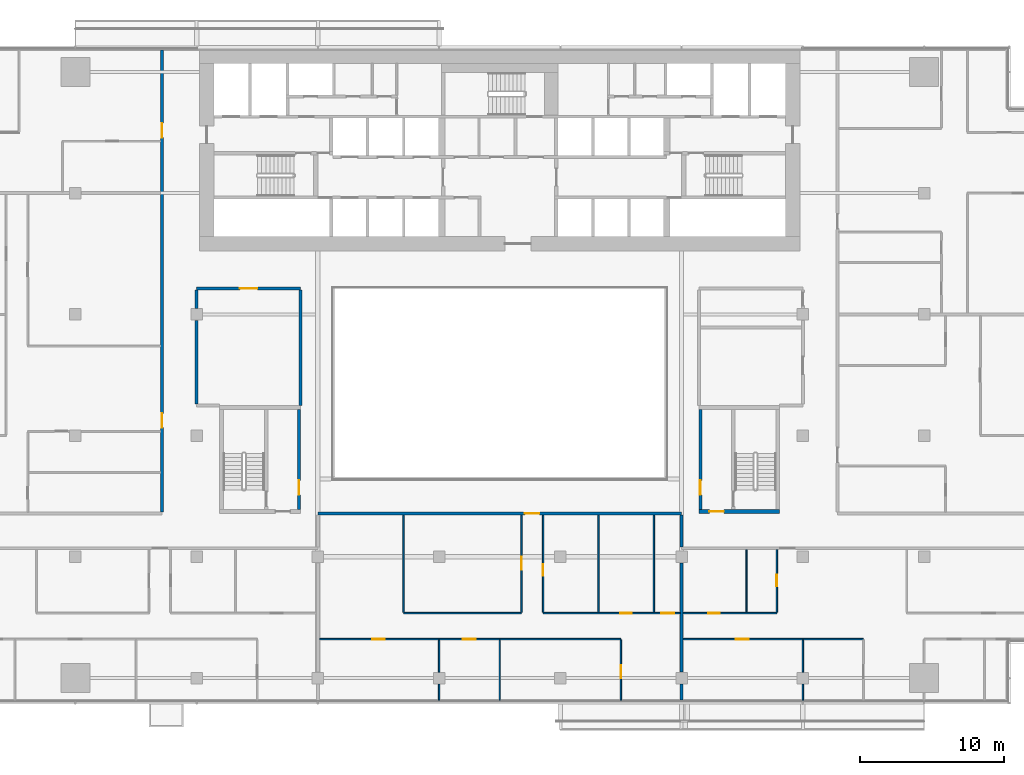
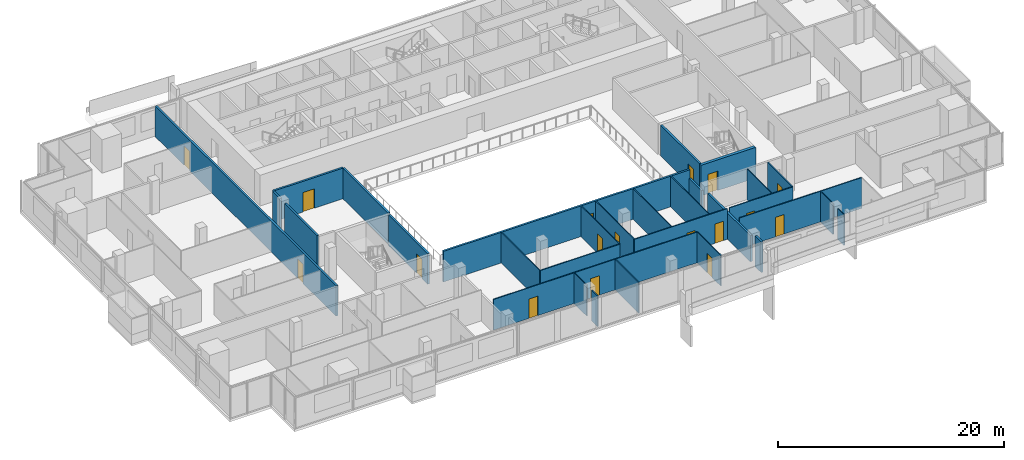
# One storey, part 18 of 27: 30 walls, 17 doors, 17 openings.
"""IFC4 building model written with IfcOpenShell, lengths in metres."""

from ifc_helpers import new_model, si_unit, direction, frame, frame_2d, origin, place, context, subcontext, project, spatial, rectangle, extrude, material, layer, layer_set, type_object, element, fill, save


model = new_model("IFC4")

# Units and contexts
model_context = context("Model", 3, precision=1e-05, world=origin(), true_north=direction((0.0, 1.0)))
body_context = subcontext(model_context, "Body", "Model", "MODEL_VIEW")
ifc_project = project(units=[si_unit("LENGTHUNIT", "METRE"), si_unit("AREAUNIT", "SQUARE_METRE"), si_unit("VOLUMEUNIT", "CUBIC_METRE"), si_unit("PLANEANGLEUNIT", "RADIAN"), si_unit("MASSUNIT", "GRAM", prefix="KILO")], contexts=[model_context])

# Site, building, storey
site_placement = place(None, origin())
site = spatial("IfcSite", under=ifc_project, at=site_placement, CompositionType="ELEMENT")
building_placement = place(site_placement, origin())
building = spatial("IfcBuilding", under=site, at=building_placement, Name="Saffron Gate Tower", CompositionType="ELEMENT")
storey_placement = place(building_placement, frame((0.0, 0.0, 124.050048828125)))
storey = spatial("IfcBuildingStorey", under=building, at=storey_placement, Name="L29", CompositionType="ELEMENT", Elevation=124.050048828125)

# Wall, opening, door
ifc_material_1 = material(Name="Gypsum board partition on steel studs", Category="steel")
ifc_layer_1 = layer(ifc_material_1, 0.199951171875)
ifc_layer_set_1 = layer_set([ifc_layer_1], Name="CW10 Core partition 200")
wall_type_1 = type_object("IfcWallType", Name="CW10 Core partition 200", PredefinedType="PARTITIONING", material=ifc_layer_set_1)
wall_1_placement = place(storey_placement, frame((73.699951171875, 43.5, 0.0), z_axis=(0.0, 0.0, 1.0), x_axis=(0.0, 1.0, 0.0)))
wall_1 = element("IfcWall", 1, at=wall_1_placement, inside=storey, type_object=wall_type_1, Name="Wall CW10-L29-D-4", PredefinedType="PARTITIONING", context=body_context, shape_type="SweptSolid", body=[
    extrude(rectangle(XDim=6.89990234375, YDim=0.199951171875, at=frame_2d((3.449951171875, 0.0))), origin(), (0.0, 0.0, 1.0), 3.320068359375),
])
opening_1_placement = place(wall_1_placement, frame((1.0, 0.0, 0.0)))
opening_1 = element("IfcOpeningElement", 2, at=opening_1_placement, cuts=wall_1, Name="Opening CR-19", PredefinedType="OPENING", context=body_context, shape_type="SweptSolid", body=[
    extrude(rectangle(XDim=1.0, YDim=2.10009765625, at=frame_2d((0.5, 1.050048828125))), frame((0.0, 0.10986328125, 0.0), z_axis=(0.0, -1.0, 0.0), x_axis=(1.0, 0.0, 0.0)), (0.0, 0.0, 1.0), 0.219970703125),
])
ifc_material_2 = material(Name="Steel fire door set", Category="steel")
door_type_1 = type_object("IfcDoorType", Name="CD4 Lobby door 1000x2100 EI 120", OperationType="NOTDEFINED", PredefinedType="DOOR", material=ifc_material_2)
door_1_placement = place(opening_1_placement, origin())
door_1 = element("IfcDoor", 3, at=door_1_placement, inside=storey, type_object=door_type_1, Name="DOOR CR-19", OperationType="SINGLE_SWING_RIGHT", OverallHeight=2.10009765625, OverallWidth=1.0, PredefinedType="DOOR", context=body_context, shape_type="SweptSolid", body=[
    extrude(rectangle(XDim=1.0, YDim=2.10009765625, at=frame_2d((0.5, 1.050048828125))), frame((0.0, 0.02490234375, 0.0), z_axis=(0.0, -1.0, 0.0), x_axis=(1.0, 0.0, 0.0)), (0.0, 0.0, 1.0), 0.050048828125),
])
fill(opening_1, door_1)

wall_2_placement = place(storey_placement, frame((101.5, 43.5, 0.0), z_axis=(0.0, 0.0, 1.0), x_axis=(0.0, 1.0, 0.0)))
wall_2 = element("IfcWall", 4, at=wall_2_placement, inside=storey, type_object=wall_type_1, Name="Wall CW10-L29-E-2", PredefinedType="PARTITIONING", context=body_context, shape_type="SweptSolid", body=[
    extrude(rectangle(XDim=6.89990234375, YDim=0.199951171875, at=frame_2d((3.449951171875, 0.0))), origin(), (0.0, 0.0, 1.0), 3.320068359375),
])
opening_2_placement = place(wall_2_placement, frame((1.0, 0.0, 0.0)))
opening_2 = element("IfcOpeningElement", 5, at=opening_2_placement, cuts=wall_2, Name="Opening CR-22", PredefinedType="OPENING", context=body_context, shape_type="SweptSolid", body=[
    extrude(rectangle(XDim=1.0, YDim=2.10009765625, at=frame_2d((0.5, 1.050048828125))), frame((0.0, 0.10986328125, 0.0), z_axis=(0.0, -1.0, 0.0), x_axis=(1.0, 0.0, 0.0)), (0.0, 0.0, 1.0), 0.219970703125),
])
door_2_placement = place(opening_2_placement, origin())
door_2 = element("IfcDoor", 6, at=door_2_placement, inside=storey, type_object=door_type_1, Name="DOOR CR-22", OperationType="SINGLE_SWING_LEFT", OverallHeight=2.10009765625, OverallWidth=1.0, PredefinedType="DOOR", context=body_context, shape_type="SweptSolid", body=[
    extrude(rectangle(XDim=1.0, YDim=2.10009765625, at=frame_2d((0.5, 1.050048828125))), frame((0.0, 0.02490234375, 0.0), z_axis=(0.0, -1.0, 0.0), x_axis=(1.0, 0.0, 0.0)), (0.0, 0.0, 1.0), 0.050048828125),
])
fill(opening_2, door_2)

ifc_material_3 = material(Name="Concrete C70", Category="concrete")
ifc_layer_2 = layer(ifc_material_3, 0.300048828125)
ifc_layer_set_2 = layer_set([ifc_layer_2], Name="CW5 RC core wall 300 C70")
wall_type_2 = type_object("IfcWallType", Name="CW5 RC core wall 300 C70", PredefinedType="SOLIDWALL", material=ifc_layer_set_2)
wall_3_placement = place(storey_placement, frame((101.39990234375, 43.35009765625, 0.0), z_axis=(0.0, 0.0, 1.0), x_axis=(1.0, 0.0, 0.0)))
wall_3 = element("IfcWall", 7, at=wall_3_placement, inside=storey, type_object=wall_type_2, Name="Wall CW5-L29-E-1", PredefinedType="SOLIDWALL", context=body_context, shape_type="SweptSolid", body=[
    extrude(rectangle(XDim=5.60009765625, YDim=0.300048828125, at=frame_2d((2.800048828125, 0.0))), origin(), (0.0, 0.0, 1.0), 3.320068359375),
])
opening_3_placement = place(wall_3_placement, frame((0.72509765625, 0.0, 0.0)))
opening_3 = element("IfcOpeningElement", 8, at=opening_3_placement, cuts=wall_3, Name="Opening CR-21", PredefinedType="OPENING", context=body_context, shape_type="SweptSolid", body=[
    extrude(rectangle(XDim=1.0, YDim=2.10009765625, at=frame_2d((0.5, 1.050048828125))), frame((0.0, 0.16015625, 0.0), z_axis=(0.0, -1.0, 0.0), x_axis=(1.0, 0.0, 0.0)), (0.0, 0.0, 1.0), 0.320068359375),
])
door_3_placement = place(opening_3_placement, origin())
door_3 = element("IfcDoor", 9, at=door_3_placement, inside=storey, type_object=door_type_1, Name="DOOR CR-21", OperationType="SINGLE_SWING_RIGHT", OverallHeight=2.10009765625, OverallWidth=1.0, PredefinedType="DOOR", context=body_context, shape_type="SweptSolid", body=[
    extrude(rectangle(XDim=1.0, YDim=2.10009765625, at=frame_2d((0.5, 1.050048828125))), frame((0.0, 0.02490234375, 0.0), z_axis=(0.0, -1.0, 0.0), x_axis=(1.0, 0.0, 0.0)), (0.0, 0.0, 1.0), 0.050048828125),
])
fill(opening_3, door_3)

# Wall, openings, doors
ifc_material_4 = material(Name="Plasterboard on steel studs", Category="steel")
ifc_layer_3 = layer(ifc_material_4, 0.10009765625)
ifc_layer_set_3 = layer_set([ifc_layer_3], Name="PW1 Partition 100")
wall_type_3 = type_object("IfcWallType", Name="PW1 Partition 100", PredefinedType="PARTITIONING", material=ifc_layer_set_3)
wall_4_placement = place(storey_placement, frame((96.0, 34.5, 0.0), z_axis=(0.0, 0.0, 1.0), x_axis=(-1.0, 0.0, 0.0)))
wall_4 = element("IfcWall", 10, at=wall_4_placement, inside=storey, type_object=wall_type_3, Name="Partition B3-2", PredefinedType="PARTITIONING", context=body_context, shape_type="SweptSolid", body=[
    extrude(rectangle(XDim=20.89990234375, YDim=0.10009765625, at=frame_2d((10.449951171875, 0.0))), origin(), (0.0, 0.0, 1.0), 3.320068359375),
])
opening_4_placement = place(wall_4_placement, frame((10.050048828125, 0.0, 0.0)))
opening_4 = element("IfcOpeningElement", 11, at=opening_4_placement, cuts=wall_4, Name="Opening B3-13", PredefinedType="OPENING", context=body_context, shape_type="SweptSolid", body=[
    extrude(rectangle(XDim=0.89990234375, YDim=2.10009765625, at=frame_2d((0.449951171875, 1.050048828125))), frame((0.0, 0.06005859375, 0.0), z_axis=(0.0, -1.0, 0.0), x_axis=(1.0, 0.0, 0.0)), (0.0, 0.0, 1.0), 0.1201171875),
])
opening_5_placement = place(wall_4_placement, frame((16.35009765625, 0.0, 0.0)))
opening_5 = element("IfcOpeningElement", 12, at=opening_5_placement, cuts=wall_4, Name="Opening B3-12", PredefinedType="OPENING", context=body_context, shape_type="SweptSolid", body=[
    extrude(rectangle(XDim=0.89990234375, YDim=2.10009765625, at=frame_2d((0.449951171875, 1.050048828125))), frame((0.0, 0.06005859375, 0.0), z_axis=(0.0, -1.0, 0.0), x_axis=(1.0, 0.0, 0.0)), (0.0, 0.0, 1.0), 0.1201171875),
])
ifc_material_5 = material(Name="Timber door set", Category="wood")
door_type_2 = type_object("IfcDoorType", Name="RD1 Room door 900x2100", OperationType="NOTDEFINED", PredefinedType="DOOR", material=ifc_material_5)
door_4_placement = place(opening_4_placement, origin())
door_4 = element("IfcDoor", 13, at=door_4_placement, inside=storey, type_object=door_type_2, Name="Door B3-13", OperationType="SINGLE_SWING_RIGHT", OverallHeight=2.10009765625, OverallWidth=0.89990234375, PredefinedType="DOOR", context=body_context, shape_type="SweptSolid", body=[
    extrude(rectangle(XDim=0.89990234375, YDim=2.10009765625, at=frame_2d((0.449951171875, 1.050048828125))), frame((0.0, 0.02490234375, 0.0), z_axis=(0.0, -1.0, 0.0), x_axis=(1.0, 0.0, 0.0)), (0.0, 0.0, 1.0), 0.050048828125),
])
fill(opening_4, door_4)
door_5_placement = place(opening_5_placement, origin())
door_5 = element("IfcDoor", 14, at=door_5_placement, inside=storey, type_object=door_type_2, Name="Door B3-12", OperationType="SINGLE_SWING_RIGHT", OverallHeight=2.10009765625, OverallWidth=0.89990234375, PredefinedType="DOOR", context=body_context, shape_type="SweptSolid", body=[
    extrude(rectangle(XDim=0.89990234375, YDim=2.10009765625, at=frame_2d((0.449951171875, 1.050048828125))), frame((0.0, 0.02490234375, 0.0), z_axis=(0.0, -1.0, 0.0), x_axis=(1.0, 0.0, 0.0)), (0.0, 0.0, 1.0), 0.050048828125),
])
fill(opening_5, door_5)

# Wall, opening, door
wall_5_placement = place(storey_placement, frame((112.800048828125, 34.5, 0.0), z_axis=(0.0, 0.0, 1.0), x_axis=(-1.0, 0.0, 0.0)))
wall_5 = element("IfcWall", 15, at=wall_5_placement, inside=storey, type_object=wall_type_3, Name="Partition B3-3", PredefinedType="PARTITIONING", context=body_context, shape_type="SweptSolid", body=[
    extrude(rectangle(XDim=12.5, YDim=0.10009765625, at=frame_2d((6.25, 0.0))), origin(), (0.0, 0.0, 1.0), 3.320068359375),
])
opening_6_placement = place(wall_5_placement, frame((7.949951171875, 0.0, 0.0)))
opening_6 = element("IfcOpeningElement", 16, at=opening_6_placement, cuts=wall_5, Name="Opening B3-17", PredefinedType="OPENING", context=body_context, shape_type="SweptSolid", body=[
    extrude(rectangle(XDim=0.89990234375, YDim=2.10009765625, at=frame_2d((0.449951171875, 1.050048828125))), frame((0.0, 0.06005859375, 0.0), z_axis=(0.0, -1.0, 0.0), x_axis=(1.0, 0.0, 0.0)), (0.0, 0.0, 1.0), 0.1201171875),
])
door_6_placement = place(opening_6_placement, origin())
door_6 = element("IfcDoor", 17, at=door_6_placement, inside=storey, type_object=door_type_2, Name="Door B3-17", OperationType="SINGLE_SWING_RIGHT", OverallHeight=2.10009765625, OverallWidth=0.89990234375, PredefinedType="DOOR", context=body_context, shape_type="SweptSolid", body=[
    extrude(rectangle(XDim=0.89990234375, YDim=2.10009765625, at=frame_2d((0.449951171875, 1.050048828125))), frame((0.0, 0.02490234375, 0.0), z_axis=(0.0, -1.0, 0.0), x_axis=(1.0, 0.0, 0.0)), (0.0, 0.0, 1.0), 0.050048828125),
])
fill(opening_6, door_6)

# Walls
wall_6_placement = place(storey_placement, frame((80.94189453125, 36.300048828125, 0.0), z_axis=(0.0, 0.0, 1.0), x_axis=(1.0, 0.0, 0.0)))
element("IfcWall", 18, at=wall_6_placement, inside=storey, type_object=wall_type_3, Name="Partition B3-7", PredefinedType="PARTITIONING", context=body_context, shape_type="SweptSolid", body=[
    extrude(rectangle(XDim=8.158203125, YDim=0.10009765625, at=frame_2d((4.0791015625, 0.0))), origin(), (0.0, 0.0, 1.0), 3.320068359375),
])
wall_7_placement = place(storey_placement, frame((80.94189453125, 43.10009765625, 0.0), z_axis=(0.0, 0.0, 1.0), x_axis=(0.0, -1.0, 0.0)))
element("IfcWall", 19, at=wall_7_placement, inside=storey, type_object=wall_type_3, Name="Partition B3-66", PredefinedType="PARTITIONING", context=body_context, shape_type="SweptSolid", body=[
    extrude(rectangle(XDim=6.75, YDim=0.10009765625, at=frame_2d((3.375, 0.0))), origin(), (0.0, 0.0, 1.0), 3.320068359375),
])
wall_8_placement = place(storey_placement, frame((83.39990234375, 31.3798828125, 0.0), z_axis=(0.0, 0.0, 1.0), x_axis=(0.0, -1.0, 0.0)))
element("IfcWall", 20, at=wall_8_placement, inside=storey, type_object=wall_type_3, Name="Partition B3-67", PredefinedType="PARTITIONING", context=body_context, shape_type="SweptSolid", body=[
    extrude(rectangle(XDim=1.099853515625, YDim=0.10009765625, at=frame_2d((0.5498046875, 0.0))), origin(), (0.0, 0.0, 1.0), 3.320068359375),
])
wall_9_placement = place(storey_placement, frame((83.39990234375, 34.449951171875, 0.0), z_axis=(0.0, 0.0, 1.0), x_axis=(0.0, -1.0, 0.0)))
element("IfcWall", 21, at=wall_9_placement, inside=storey, type_object=wall_type_3, Name="Partition B3-68", PredefinedType="PARTITIONING", context=body_context, shape_type="SweptSolid", body=[
    extrude(rectangle(XDim=2.22998046875, YDim=0.10009765625, at=frame_2d((1.114990234375, 0.0))), origin(), (0.0, 0.0, 1.0), 3.320068359375),
])
wall_10_placement = place(storey_placement, frame((87.60009765625, 34.449951171875, 0.0), z_axis=(0.0, 0.0, 1.0), x_axis=(0.0, -1.0, 0.0)))
element("IfcWall", 22, at=wall_10_placement, inside=storey, type_object=wall_type_3, Name="Partition B3-69", PredefinedType="PARTITIONING", context=body_context, shape_type="SweptSolid", body=[
    extrude(rectangle(XDim=4.169921875, YDim=0.10009765625, at=frame_2d((2.0849609375, 0.0))), origin(), (0.0, 0.0, 1.0), 3.320068359375),
])

# Wall, opening, door
wall_11_placement = place(storey_placement, frame((89.10009765625, 36.35009765625, 0.0), z_axis=(0.0, 0.0, 1.0), x_axis=(0.0, 1.0, 0.0)))
wall_11 = element("IfcWall", 23, at=wall_11_placement, inside=storey, type_object=wall_type_3, Name="Partition B3-70", PredefinedType="PARTITIONING", context=body_context, shape_type="SweptSolid", body=[
    extrude(rectangle(XDim=6.75, YDim=0.10009765625, at=frame_2d((3.375, 0.0))), origin(), (0.0, 0.0, 1.0), 3.320068359375),
])
opening_7_placement = place(wall_11_placement, frame((2.949951171875, 0.0, 0.0)))
opening_7 = element("IfcOpeningElement", 24, at=opening_7_placement, cuts=wall_11, Name="Opening B3-15", PredefinedType="OPENING", context=body_context, shape_type="SweptSolid", body=[
    extrude(rectangle(XDim=0.89990234375, YDim=2.10009765625, at=frame_2d((0.449951171875, 1.050048828125))), frame((0.0, 0.06005859375, 0.0), z_axis=(0.0, -1.0, 0.0), x_axis=(1.0, 0.0, 0.0)), (0.0, 0.0, 1.0), 0.1201171875),
])
door_7_placement = place(opening_7_placement, origin())
door_7 = element("IfcDoor", 25, at=door_7_placement, inside=storey, type_object=door_type_2, Name="Door B3-15", OperationType="SINGLE_SWING_RIGHT", OverallHeight=2.10009765625, OverallWidth=0.89990234375, PredefinedType="DOOR", context=body_context, shape_type="SweptSolid", body=[
    extrude(rectangle(XDim=0.89990234375, YDim=2.10009765625, at=frame_2d((0.449951171875, 1.050048828125))), frame((0.0, 0.02490234375, 0.0), z_axis=(0.0, -1.0, 0.0), x_axis=(1.0, 0.0, 0.0)), (0.0, 0.0, 1.0), 0.050048828125),
])
fill(opening_7, door_7)

wall_12_placement = place(storey_placement, frame((90.60009765625, 43.10009765625, 0.0), z_axis=(0.0, 0.0, 1.0), x_axis=(0.0, -1.0, 0.0)))
wall_12 = element("IfcWall", 26, at=wall_12_placement, inside=storey, type_object=wall_type_3, Name="Partition B3-71", PredefinedType="PARTITIONING", context=body_context, shape_type="SweptSolid", body=[
    extrude(rectangle(XDim=6.75, YDim=0.10009765625, at=frame_2d((3.375, 0.0))), origin(), (0.0, 0.0, 1.0), 3.320068359375),
])
opening_8_placement = place(wall_12_placement, frame((3.39990234375, 0.0, 0.0)))
opening_8 = element("IfcOpeningElement", 27, at=opening_8_placement, cuts=wall_12, Name="Opening B3-34", PredefinedType="OPENING", context=body_context, shape_type="SweptSolid", body=[
    extrude(rectangle(XDim=0.800048828125, YDim=2.10009765625, at=frame_2d((0.39990234375, 1.050048828125))), frame((0.0, 0.06005859375, 0.0), z_axis=(0.0, -1.0, 0.0), x_axis=(1.0, 0.0, 0.0)), (0.0, 0.0, 1.0), 0.1201171875),
])
door_type_3 = type_object("IfcDoorType", Name="RD2 Bathroom door 800x2100", OperationType="NOTDEFINED", PredefinedType="DOOR", material=ifc_material_5)
door_8_placement = place(opening_8_placement, origin())
door_8 = element("IfcDoor", 28, at=door_8_placement, inside=storey, type_object=door_type_3, Name="Door B3-34", OperationType="SINGLE_SWING_RIGHT", OverallHeight=2.10009765625, OverallWidth=0.800048828125, PredefinedType="DOOR", context=body_context, shape_type="SweptSolid", body=[
    extrude(rectangle(XDim=0.800048828125, YDim=2.10009765625, at=frame_2d((0.39990234375, 1.050048828125))), frame((0.0, 0.02490234375, 0.0), z_axis=(0.0, -1.0, 0.0), x_axis=(1.0, 0.0, 0.0)), (0.0, 0.0, 1.0), 0.050048828125),
])
fill(opening_8, door_8)

# Wall
wall_13_placement = place(storey_placement, frame((94.440673828125, 43.10009765625, 0.0), z_axis=(0.0, 0.0, 1.0), x_axis=(0.0, -1.0, 0.0)))
element("IfcWall", 29, at=wall_13_placement, inside=storey, type_object=wall_type_3, Name="Partition B3-72", PredefinedType="PARTITIONING", context=body_context, shape_type="SweptSolid", body=[
    extrude(rectangle(XDim=6.75, YDim=0.10009765625, at=frame_2d((3.375, 0.0))), origin(), (0.0, 0.0, 1.0), 3.320068359375),
])

# Wall, opening, door
wall_14_placement = place(storey_placement, frame((96.0, 30.280029296875, 0.0), z_axis=(0.0, 0.0, 1.0), x_axis=(0.0, 1.0, 0.0)))
wall_14 = element("IfcWall", 30, at=wall_14_placement, inside=storey, type_object=wall_type_3, Name="Partition B3-73", PredefinedType="PARTITIONING", context=body_context, shape_type="SweptSolid", body=[
    extrude(rectangle(XDim=4.169921875, YDim=0.10009765625, at=frame_2d((2.0849609375, 0.0))), origin(), (0.0, 0.0, 1.0), 3.320068359375),
])
opening_9_placement = place(wall_14_placement, frame((1.52001953125, 0.0, 0.0)))
opening_9 = element("IfcOpeningElement", 31, at=opening_9_placement, cuts=wall_14, Name="Opening B3-14", PredefinedType="OPENING", context=body_context, shape_type="SweptSolid", body=[
    extrude(rectangle(XDim=0.89990234375, YDim=2.10009765625, at=frame_2d((0.449951171875, 1.050048828125))), frame((0.0, 0.06005859375, 0.0), z_axis=(0.0, -1.0, 0.0), x_axis=(1.0, 0.0, 0.0)), (0.0, 0.0, 1.0), 0.1201171875),
])
door_9_placement = place(opening_9_placement, origin())
door_9 = element("IfcDoor", 32, at=door_9_placement, inside=storey, type_object=door_type_2, Name="Door B3-14", OperationType="SINGLE_SWING_LEFT", OverallHeight=2.10009765625, OverallWidth=0.89990234375, PredefinedType="DOOR", context=body_context, shape_type="SweptSolid", body=[
    extrude(rectangle(XDim=0.89990234375, YDim=2.10009765625, at=frame_2d((0.449951171875, 1.050048828125))), frame((0.0, 0.02490234375, 0.0), z_axis=(0.0, -1.0, 0.0), x_axis=(1.0, 0.0, 0.0)), (0.0, 0.0, 1.0), 0.050048828125),
])
fill(opening_9, door_9)

# Walls
wall_15_placement = place(storey_placement, frame((98.28125, 43.10009765625, 0.0), z_axis=(0.0, 0.0, 1.0), x_axis=(0.0, -1.0, 0.0)))
element("IfcWall", 33, at=wall_15_placement, inside=storey, type_object=wall_type_3, Name="Partition B3-74", PredefinedType="PARTITIONING", context=body_context, shape_type="SweptSolid", body=[
    extrude(rectangle(XDim=6.75, YDim=0.10009765625, at=frame_2d((3.375, 0.0))), origin(), (0.0, 0.0, 1.0), 3.320068359375),
])
wall_16_placement = place(storey_placement, frame((104.699951171875, 40.699951171875, 0.0), z_axis=(0.0, 0.0, 1.0), x_axis=(0.0, -1.0, 0.0)))
element("IfcWall", 34, at=wall_16_placement, inside=storey, type_object=wall_type_3, Name="Partition B3-79", PredefinedType="PARTITIONING", context=body_context, shape_type="SweptSolid", body=[
    extrude(rectangle(XDim=4.349853515625, YDim=0.10009765625, at=frame_2d((2.1748046875, 0.0))), origin(), (0.0, 0.0, 1.0), 3.320068359375),
])

# Wall, opening, door
wall_17_placement = place(storey_placement, frame((106.800048828125, 36.35009765625, 0.0), z_axis=(0.0, 0.0, 1.0), x_axis=(0.0, 1.0, 0.0)))
wall_17 = element("IfcWall", 35, at=wall_17_placement, inside=storey, type_object=wall_type_3, Name="Partition B3-80", PredefinedType="PARTITIONING", context=body_context, shape_type="SweptSolid", body=[
    extrude(rectangle(XDim=4.349853515625, YDim=0.10009765625, at=frame_2d((2.1748046875, 0.0))), origin(), (0.0, 0.0, 1.0), 3.320068359375),
])
opening_10_placement = place(wall_17_placement, frame((1.800048828125, 0.0, 0.0)))
opening_10 = element("IfcOpeningElement", 36, at=opening_10_placement, cuts=wall_17, Name="Opening B3-37", PredefinedType="OPENING", context=body_context, shape_type="SweptSolid", body=[
    extrude(rectangle(XDim=0.800048828125, YDim=2.10009765625, at=frame_2d((0.39990234375, 1.050048828125))), frame((0.0, 0.06005859375, 0.0), z_axis=(0.0, -1.0, 0.0), x_axis=(1.0, 0.0, 0.0)), (0.0, 0.0, 1.0), 0.1201171875),
])
door_10_placement = place(opening_10_placement, origin())
door_10 = element("IfcDoor", 37, at=door_10_placement, inside=storey, type_object=door_type_3, Name="Door B3-37", OperationType="SINGLE_SWING_RIGHT", OverallHeight=2.10009765625, OverallWidth=0.800048828125, PredefinedType="DOOR", context=body_context, shape_type="SweptSolid", body=[
    extrude(rectangle(XDim=0.800048828125, YDim=2.10009765625, at=frame_2d((0.39990234375, 1.050048828125))), frame((0.0, 0.02490234375, 0.0), z_axis=(0.0, -1.0, 0.0), x_axis=(1.0, 0.0, 0.0)), (0.0, 0.0, 1.0), 0.050048828125),
])
fill(opening_10, door_10)

# Walls
wall_18_placement = place(storey_placement, frame((108.60009765625, 31.3798828125, 0.0), z_axis=(0.0, 0.0, 1.0), x_axis=(0.0, -1.0, 0.0)))
element("IfcWall", 38, at=wall_18_placement, inside=storey, type_object=wall_type_3, Name="Partition B3-83", PredefinedType="PARTITIONING", context=body_context, shape_type="SweptSolid", body=[
    extrude(rectangle(XDim=1.099853515625, YDim=0.10009765625, at=frame_2d((0.5498046875, 0.0))), origin(), (0.0, 0.0, 1.0), 3.320068359375),
])
wall_19_placement = place(storey_placement, frame((108.60009765625, 34.449951171875, 0.0), z_axis=(0.0, 0.0, 1.0), x_axis=(0.0, -1.0, 0.0)))
element("IfcWall", 39, at=wall_19_placement, inside=storey, type_object=wall_type_3, Name="Partition B3-84", PredefinedType="PARTITIONING", context=body_context, shape_type="SweptSolid", body=[
    extrude(rectangle(XDim=2.22998046875, YDim=0.10009765625, at=frame_2d((1.114990234375, 0.0))), origin(), (0.0, 0.0, 1.0), 3.320068359375),
])

# Wall, openings, doors
wall_20_placement = place(storey_placement, frame((90.60009765625, 36.300048828125, 0.0), z_axis=(0.0, 0.0, 1.0), x_axis=(1.0, 0.0, 0.0)))
wall_20 = element("IfcWall", 40, at=wall_20_placement, inside=storey, type_object=wall_type_3, Name="Partition B3-98", PredefinedType="PARTITIONING", context=body_context, shape_type="SweptSolid", body=[
    extrude(rectangle(XDim=9.5, YDim=0.10009765625, at=frame_2d((4.75, 0.0))), origin(), (0.0, 0.0, 1.0), 3.320068359375),
])
opening_11_placement = place(wall_20_placement, frame((5.36083984375, 0.0, 0.0)))
opening_11 = element("IfcOpeningElement", 41, at=opening_11_placement, cuts=wall_20, Name="Opening B3-35", PredefinedType="OPENING", context=body_context, shape_type="SweptSolid", body=[
    extrude(rectangle(XDim=0.800048828125, YDim=2.10009765625, at=frame_2d((0.39990234375, 1.050048828125))), frame((0.0, 0.06005859375, 0.0), z_axis=(0.0, -1.0, 0.0), x_axis=(1.0, 0.0, 0.0)), (0.0, 0.0, 1.0), 0.1201171875),
])
opening_12_placement = place(wall_20_placement, frame((8.190673828125, 0.0, 0.0)))
opening_12 = element("IfcOpeningElement", 42, at=opening_12_placement, cuts=wall_20, Name="Opening B3-16", PredefinedType="OPENING", context=body_context, shape_type="SweptSolid", body=[
    extrude(rectangle(XDim=0.89990234375, YDim=2.10009765625, at=frame_2d((0.449951171875, 1.050048828125))), frame((0.0, 0.06005859375, 0.0), z_axis=(0.0, -1.0, 0.0), x_axis=(1.0, 0.0, 0.0)), (0.0, 0.0, 1.0), 0.1201171875),
])
door_11_placement = place(opening_12_placement, origin())
door_11 = element("IfcDoor", 43, at=door_11_placement, inside=storey, type_object=door_type_2, Name="Door B3-16", OperationType="SINGLE_SWING_RIGHT", OverallHeight=2.10009765625, OverallWidth=0.89990234375, PredefinedType="DOOR", context=body_context, shape_type="SweptSolid", body=[
    extrude(rectangle(XDim=0.89990234375, YDim=2.10009765625, at=frame_2d((0.449951171875, 1.050048828125))), frame((0.0, 0.02490234375, 0.0), z_axis=(0.0, -1.0, 0.0), x_axis=(1.0, 0.0, 0.0)), (0.0, 0.0, 1.0), 0.050048828125),
])
fill(opening_12, door_11)
door_12_placement = place(opening_11_placement, origin())
door_12 = element("IfcDoor", 44, at=door_12_placement, inside=storey, type_object=door_type_3, Name="Door B3-35", OperationType="SINGLE_SWING_LEFT", OverallHeight=2.10009765625, OverallWidth=0.800048828125, PredefinedType="DOOR", context=body_context, shape_type="SweptSolid", body=[
    extrude(rectangle(XDim=0.800048828125, YDim=2.10009765625, at=frame_2d((0.39990234375, 1.050048828125))), frame((0.0, 0.02490234375, 0.0), z_axis=(0.0, -1.0, 0.0), x_axis=(1.0, 0.0, 0.0)), (0.0, 0.0, 1.0), 0.050048828125),
])
fill(opening_11, door_12)

# Wall, opening, door
wall_21_placement = place(storey_placement, frame((100.300048828125, 36.300048828125, 0.0), z_axis=(0.0, 0.0, 1.0), x_axis=(1.0, 0.0, 0.0)))
wall_21 = element("IfcWall", 45, at=wall_21_placement, inside=storey, type_object=wall_type_3, Name="Partition B3-99", PredefinedType="PARTITIONING", context=body_context, shape_type="SweptSolid", body=[
    extrude(rectangle(XDim=6.5, YDim=0.10009765625, at=frame_2d((3.25, 0.0))), origin(), (0.0, 0.0, 1.0), 3.320068359375),
])
opening_13_placement = place(wall_21_placement, frame((1.75, 0.0, 0.0)))
opening_13 = element("IfcOpeningElement", 46, at=opening_13_placement, cuts=wall_21, Name="Opening B3-36", PredefinedType="OPENING", context=body_context, shape_type="SweptSolid", body=[
    extrude(rectangle(XDim=0.800048828125, YDim=2.10009765625, at=frame_2d((0.39990234375, 1.050048828125))), frame((0.0, 0.06005859375, 0.0), z_axis=(0.0, -1.0, 0.0), x_axis=(1.0, 0.0, 0.0)), (0.0, 0.0, 1.0), 0.1201171875),
])
door_13_placement = place(opening_13_placement, origin())
door_13 = element("IfcDoor", 47, at=door_13_placement, inside=storey, type_object=door_type_3, Name="Door B3-36", OperationType="SINGLE_SWING_LEFT", OverallHeight=2.10009765625, OverallWidth=0.800048828125, PredefinedType="DOOR", context=body_context, shape_type="SweptSolid", body=[
    extrude(rectangle(XDim=0.800048828125, YDim=2.10009765625, at=frame_2d((0.39990234375, 1.050048828125))), frame((0.0, 0.02490234375, 0.0), z_axis=(0.0, -1.0, 0.0), x_axis=(1.0, 0.0, 0.0)), (0.0, 0.0, 1.0), 0.050048828125),
])
fill(opening_13, door_13)

# Walls
ifc_material_6 = material(Name="Clay brick masonry, rendered", Category="masonry")
ifc_layer_4 = layer(ifc_material_6, 0.199951171875)
ifc_layer_set_4 = layer_set([ifc_layer_4], Name="PW2 Demising wall 200")
wall_type_4 = type_object("IfcWallType", Name="PW2 Demising wall 200", PredefinedType="PARTITIONING", material=ifc_layer_set_4)
wall_22_placement = place(storey_placement, frame((100.199951171875, 31.3798828125, 0.0), z_axis=(0.0, 0.0, 1.0), x_axis=(0.0, -1.0, 0.0)))
element("IfcWall", 48, at=wall_22_placement, inside=storey, type_object=wall_type_4, Name="Wall B3-76", PredefinedType="PARTITIONING", context=body_context, shape_type="SweptSolid", body=[
    extrude(rectangle(XDim=1.099853515625, YDim=0.199951171875, at=frame_2d((0.5498046875, 0.0))), origin(), (0.0, 0.0, 1.0), 3.320068359375),
])
wall_23_placement = place(storey_placement, frame((100.199951171875, 39.780029296875, 0.0), z_axis=(0.0, 0.0, 1.0), x_axis=(0.0, -1.0, 0.0)))
element("IfcWall", 49, at=wall_23_placement, inside=storey, type_object=wall_type_4, Name="Wall B3-77", PredefinedType="PARTITIONING", context=body_context, shape_type="SweptSolid", body=[
    extrude(rectangle(XDim=7.56005859375, YDim=0.199951171875, at=frame_2d((3.780029296875, 0.0))), origin(), (0.0, 0.0, 1.0), 2.829833984375),
])

# Wall, opening, door
ifc_layer_5 = layer(ifc_material_6, 0.199951171875)
ifc_layer_set_5 = layer_set([ifc_layer_5], Name="PW3 Corridor wall 200")
wall_type_5 = type_object("IfcWallType", Name="PW3 Corridor wall 200", PredefinedType="PARTITIONING", material=ifc_layer_set_5)
wall_24_placement = place(storey_placement, frame((100.199951171875, 43.199951171875, 0.0), z_axis=(0.0, 0.0, 1.0), x_axis=(-1.0, 0.0, 0.0)))
wall_24 = element("IfcWall", 50, at=wall_24_placement, inside=storey, type_object=wall_type_5, Name="Wall B3-14", PredefinedType="PARTITIONING", context=body_context, shape_type="SweptSolid", body=[
    extrude(rectangle(XDim=25.199951171875, YDim=0.199951171875, at=frame_2d((12.60009765625, 0.0))), origin(), (0.0, 0.0, 1.0), 3.320068359375),
])
opening_14_placement = place(wall_24_placement, frame((9.85009765625, 0.0, 0.0)))
opening_14 = element("IfcOpeningElement", 51, at=opening_14_placement, cuts=wall_24, Name="Opening B3-2", PredefinedType="OPENING", context=body_context, shape_type="SweptSolid", body=[
    extrude(rectangle(XDim=1.0, YDim=2.10009765625, at=frame_2d((0.5, 1.050048828125))), frame((0.0, 0.10986328125, 0.0), z_axis=(0.0, -1.0, 0.0), x_axis=(1.0, 0.0, 0.0)), (0.0, 0.0, 1.0), 0.219970703125),
])
ifc_material_7 = material(Name="Timber fire door set", Category="wood")
door_type_4 = type_object("IfcDoorType", Name="FD1 Flat entry door 1000x2100", OperationType="NOTDEFINED", PredefinedType="DOOR", material=ifc_material_7)
door_14_placement = place(opening_14_placement, origin())
door_14 = element("IfcDoor", 52, at=door_14_placement, inside=storey, type_object=door_type_4, Name="Door B3-2", OperationType="SINGLE_SWING_RIGHT", OverallHeight=2.10009765625, OverallWidth=1.0, PredefinedType="DOOR", context=body_context, shape_type="SweptSolid", body=[
    extrude(rectangle(XDim=1.0, YDim=2.10009765625, at=frame_2d((0.5, 1.050048828125))), frame((0.0, 0.02490234375, 0.0), z_axis=(0.0, -1.0, 0.0), x_axis=(1.0, 0.0, 0.0)), (0.0, 0.0, 1.0), 0.050048828125),
])
fill(opening_14, door_14)

wall_25_placement = place(storey_placement, frame((73.800048828125, 58.800048828125, 0.0), z_axis=(0.0, 0.0, 1.0), x_axis=(-1.0, 0.0, 0.0)))
wall_25 = element("IfcWall", 53, at=wall_25_placement, inside=storey, type_object=wall_type_5, Name="Wall B3-34", PredefinedType="PARTITIONING", context=body_context, shape_type="SweptSolid", body=[
    extrude(rectangle(XDim=7.199951171875, YDim=0.199951171875, at=frame_2d((3.60009765625, 0.0))), origin(), (0.0, 0.0, 1.0), 3.320068359375),
])
opening_15_placement = place(wall_25_placement, frame((3.0, 0.0, 0.0)))
opening_15 = element("IfcOpeningElement", 54, at=opening_15_placement, cuts=wall_25, Name="Opening B3-45", PredefinedType="OPENING", context=body_context, shape_type="SweptSolid", body=[
    extrude(rectangle(XDim=1.199951171875, YDim=2.10009765625, at=frame_2d((0.60009765625, 1.050048828125))), frame((0.0, 0.10986328125, 0.0), z_axis=(0.0, -1.0, 0.0), x_axis=(1.0, 0.0, 0.0)), (0.0, 0.0, 1.0), 0.219970703125),
])
door_type_5 = type_object("IfcDoorType", Name="HD1 Hall door 1200x2100", OperationType="NOTDEFINED", PredefinedType="DOOR", material=ifc_material_5)
door_15_placement = place(opening_15_placement, origin())
door_15 = element("IfcDoor", 55, at=door_15_placement, inside=storey, type_object=door_type_5, Name="Door B3-45", OperationType="SINGLE_SWING_LEFT", OverallHeight=2.10009765625, OverallWidth=1.199951171875, PredefinedType="DOOR", context=body_context, shape_type="SweptSolid", body=[
    extrude(rectangle(XDim=1.199951171875, YDim=2.10009765625, at=frame_2d((0.60009765625, 1.050048828125))), frame((0.0, 0.02490234375, 0.0), z_axis=(0.0, -1.0, 0.0), x_axis=(1.0, 0.0, 0.0)), (0.0, 0.0, 1.0), 0.050048828125),
])
fill(opening_15, door_15)

# Wall, openings, doors
wall_26_placement = place(storey_placement, frame((64.199951171875, 43.300048828125, 0.0), z_axis=(0.0, 0.0, 1.0), x_axis=(0.0, 1.0, 0.0)))
wall_26 = element("IfcWall", 56, at=wall_26_placement, inside=storey, type_object=wall_type_5, Name="Wall B3-56", PredefinedType="PARTITIONING", context=body_context, shape_type="SweptSolid", body=[
    extrude(rectangle(XDim=32.02001953125, YDim=0.199951171875, at=frame_2d((16.010009765625, 0.0))), origin(), (0.0, 0.0, 1.0), 3.320068359375),
])
opening_16_placement = place(wall_26_placement, frame((5.85009765625, 0.0, 0.0)))
opening_16 = element("IfcOpeningElement", 57, at=opening_16_placement, cuts=wall_26, Name="Opening B3-4", PredefinedType="OPENING", context=body_context, shape_type="SweptSolid", body=[
    extrude(rectangle(XDim=1.0, YDim=2.10009765625, at=frame_2d((0.5, 1.050048828125))), frame((0.0, 0.10986328125, 0.0), z_axis=(0.0, -1.0, 0.0), x_axis=(1.0, 0.0, 0.0)), (0.0, 0.0, 1.0), 0.219970703125),
])
opening_17_placement = place(wall_26_placement, frame((25.949951171875, 0.0, 0.0)))
opening_17 = element("IfcOpeningElement", 58, at=opening_17_placement, cuts=wall_26, Name="Opening B3-5", PredefinedType="OPENING", context=body_context, shape_type="SweptSolid", body=[
    extrude(rectangle(XDim=1.0, YDim=2.10009765625, at=frame_2d((0.5, 1.050048828125))), frame((0.0, 0.10986328125, 0.0), z_axis=(0.0, -1.0, 0.0), x_axis=(1.0, 0.0, 0.0)), (0.0, 0.0, 1.0), 0.219970703125),
])
door_16_placement = place(opening_16_placement, origin())
door_16 = element("IfcDoor", 59, at=door_16_placement, inside=storey, type_object=door_type_4, Name="Door B3-4", OperationType="SINGLE_SWING_RIGHT", OverallHeight=2.10009765625, OverallWidth=1.0, PredefinedType="DOOR", context=body_context, shape_type="SweptSolid", body=[
    extrude(rectangle(XDim=1.0, YDim=2.10009765625, at=frame_2d((0.5, 1.050048828125))), frame((0.0, 0.02490234375, 0.0), z_axis=(0.0, -1.0, 0.0), x_axis=(1.0, 0.0, 0.0)), (0.0, 0.0, 1.0), 0.050048828125),
])
fill(opening_16, door_16)
door_17_placement = place(opening_17_placement, origin())
door_17 = element("IfcDoor", 60, at=door_17_placement, inside=storey, type_object=door_type_4, Name="Door B3-5", OperationType="SINGLE_SWING_LEFT", OverallHeight=2.10009765625, OverallWidth=1.0, PredefinedType="DOOR", context=body_context, shape_type="SweptSolid", body=[
    extrude(rectangle(XDim=1.0, YDim=2.10009765625, at=frame_2d((0.5, 1.050048828125))), frame((0.0, 0.02490234375, 0.0), z_axis=(0.0, -1.0, 0.0), x_axis=(1.0, 0.0, 0.0)), (0.0, 0.0, 1.0), 0.050048828125),
])
fill(opening_17, door_17)

# Walls
wall_27_placement = place(storey_placement, frame((66.60009765625, 56.580078125, 0.0), z_axis=(0.0, 0.0, 1.0), x_axis=(0.0, -1.0, 0.0)))
element("IfcWall", 61, at=wall_27_placement, inside=storey, type_object=wall_type_5, Name="Wall B3-58", PredefinedType="PARTITIONING", context=body_context, shape_type="SweptSolid", body=[
    extrude(rectangle(XDim=5.780029296875, YDim=0.199951171875, at=frame_2d((2.89013671875, 0.0))), origin(), (0.0, 0.0, 1.0), 3.320068359375),
])
wall_28_placement = place(storey_placement, frame((66.60009765625, 58.699951171875, 0.0), z_axis=(0.0, 0.0, 1.0), x_axis=(0.0, -1.0, 0.0)))
element("IfcWall", 62, at=wall_28_placement, inside=storey, type_object=wall_type_5, Name="Wall B3-59", PredefinedType="PARTITIONING", context=body_context, shape_type="SweptSolid", body=[
    extrude(rectangle(XDim=1.280029296875, YDim=0.199951171875, at=frame_2d((0.64013671875, 0.0))), origin(), (0.0, 0.0, 1.0), 3.320068359375),
])
wall_29_placement = place(storey_placement, frame((73.800048828125, 58.699951171875, 0.0), z_axis=(0.0, 0.0, 1.0), x_axis=(0.0, -1.0, 0.0)))
element("IfcWall", 63, at=wall_29_placement, inside=storey, type_object=wall_type_5, Name="Wall B3-62", PredefinedType="PARTITIONING", context=body_context, shape_type="SweptSolid", body=[
    extrude(rectangle(XDim=8.0, YDim=0.199951171875, at=frame_2d((4.0, 0.0))), origin(), (0.0, 0.0, 1.0), 3.320068359375),
])
wall_30_placement = place(storey_placement, frame((100.199951171875, 43.10009765625, 0.0), z_axis=(0.0, 0.0, 1.0), x_axis=(0.0, -1.0, 0.0)))
element("IfcWall", 64, at=wall_30_placement, inside=storey, type_object=wall_type_5, Name="Wall B3-75", PredefinedType="PARTITIONING", context=body_context, shape_type="SweptSolid", body=[
    extrude(rectangle(XDim=2.2001953125, YDim=0.199951171875, at=frame_2d((1.10009765625, 0.0))), origin(), (0.0, 0.0, 1.0), 2.429931640625),
])

save(model, "model.ifc")
